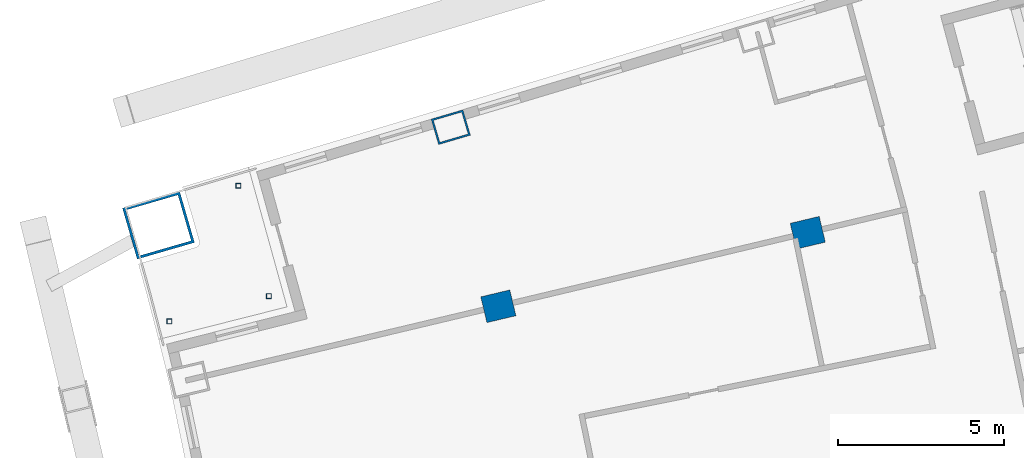
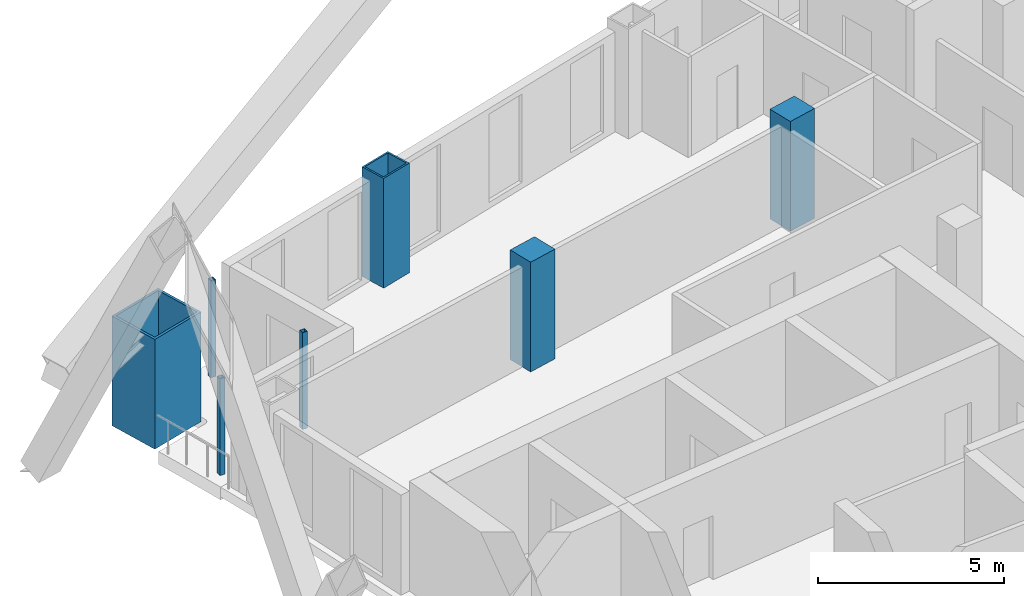
# One storey, part 7 of 22: 7 columns.
"""IFC4 building model written with IfcOpenShell, lengths in metres."""

import ifcopenshell
import ifcopenshell.guid

model = None  # the IFC model being written
_history = None  # IfcOwnerHistory: only IFC2X3 demands one
_inside = {}  # id of a spatial element -> (the spatial element, [elements in it])
_under = {}  # id of a project, library or spatial element -> (it, [spatial elements below it])
_declared = {}  # id of a project -> (the project, [libraries it declares])
_typed = {}  # id of a type object -> (the type object, [elements of that type])
_made_of = {}  # id of a material, layer set ... -> (it, [elements and type objects made of it])


def new_model(schema):
    """Start an empty IFC model of exactly this schema.

    Asked for "IFC4X3", IfcOpenShell would pick the latest addendum, in which some entities
    have other attributes; the version numbers below select the first issue.
    IFC2X3 requires an IfcOwnerHistory on every rooted entity: one is made here for all.
    """
    global model, _history
    if schema == "IFC4X3":
        model = ifcopenshell.file(schema_version=(4, 3, 0, 0))
    else:
        model = ifcopenshell.file(schema=schema)
    _inside.clear()
    _under.clear()
    _declared.clear()
    _typed.clear()
    _made_of.clear()
    _history = None
    if model.schema == "IFC2X3":
        org = make("IfcOrganization", Name="unknown")
        user = make(
            "IfcPersonAndOrganization",
            ThePerson=make("IfcPerson", FamilyName="unknown"),
            TheOrganization=org,
        )
        app = make(
            "IfcApplication",
            ApplicationDeveloper=org,
            Version="unknown",
            ApplicationFullName="unknown",
            ApplicationIdentifier="unknown",
        )
        _history = make(
            "IfcOwnerHistory",
            OwningUser=user,
            OwningApplication=app,
            ChangeAction="ADDED",
            CreationDate=0,
        )
    return model


def make(cls, **values):
    """One entity of the class cls with the attributes given. An attribute that is None is left unset."""
    return model.create_entity(
        cls, **{name: value for name, value in values.items() if value is not None}
    )


def rooted(cls, **values):
    """An entity with a GlobalId (a new one), such as an element, a storey or a relation."""
    return make(cls, GlobalId=ifcopenshell.guid.new(), OwnerHistory=_history, **values)


def si_unit(unit_type, name, prefix=None):
    """IfcSIUnit, for example si_unit("LENGTHUNIT", "METRE", prefix="MILLI")."""
    return make("IfcSIUnit", UnitType=unit_type, Prefix=prefix, Name=name)


def assignment(units):
    """IfcUnitAssignment: the units of a project."""
    return None if units is None else make("IfcUnitAssignment", Units=units)


def point(xyz):
    """IfcCartesianPoint."""
    return None if xyz is None else make("IfcCartesianPoint", Coordinates=xyz)


def direction(xyz):
    """IfcDirection."""
    return None if xyz is None else make("IfcDirection", DirectionRatios=xyz)


def frame(location, z_axis=None, x_axis=None):
    """IfcAxis2Placement3D, a coordinate frame: its origin and axes. An axis left out is left unset."""
    return make(
        "IfcAxis2Placement3D",
        Location=point(location),
        Axis=direction(z_axis),
        RefDirection=direction(x_axis),
    )


def frame_2d(location, x_axis=None):
    """IfcAxis2Placement2D, a coordinate frame in the plane: its origin and x axis."""
    return make(
        "IfcAxis2Placement2D", Location=point(location), RefDirection=direction(x_axis)
    )


def origin():
    """The frame at (0, 0, 0) with its axes left unset."""
    return frame((0.0, 0.0, 0.0))


def origin_2d():
    """The frame at (0, 0) in the plane with its x axis left unset."""
    return frame_2d((0.0, 0.0))


def place(relative_to, where):
    """IfcLocalPlacement: puts the frame where relative to a parent placement (None: the world)."""
    return make(
        "IfcLocalPlacement", PlacementRelTo=relative_to, RelativePlacement=where
    )


def context(
    kind, dimensions, precision=None, world=None, true_north=None, identifier=None
):
    """IfcGeometricRepresentationContext, for example the 3D "Model" context."""
    return make(
        "IfcGeometricRepresentationContext",
        ContextIdentifier=identifier,
        ContextType=kind,
        CoordinateSpaceDimension=dimensions,
        Precision=precision,
        WorldCoordinateSystem=world,
        TrueNorth=true_north,
    )


def subcontext(parent, identifier, kind, view, scale=None):
    """IfcGeometricRepresentationSubContext, for example "Body" below "Model"."""
    return make(
        "IfcGeometricRepresentationSubContext",
        ContextIdentifier=identifier,
        ContextType=kind,
        ParentContext=parent,
        TargetScale=scale,
        TargetView=view,
    )


def project(units=None, contexts=None):
    """IfcProject with its units and contexts."""
    return rooted(
        "IfcProject",
        Name="project",
        RepresentationContexts=contexts,
        UnitsInContext=assignment(units),
    )


def spatial(cls, under=None, at=None, **own):
    """A site, building, storey or space (cls), placed at a placement, below another one or the project."""
    s = rooted(cls, ObjectPlacement=at, **own)
    if under is not None:
        _under.setdefault(under.id(), (under, []))[1].append(s)
    return s


def profile(cls, at=None, kind="AREA", **sizes):
    """A parametric profile (cls). Its sizes go by their IFC names, for example OverallWidth=200.0."""
    return make(cls, ProfileType=kind, Position=at, **sizes)


def rectangle(**sizes):
    """IfcRectangleProfileDef."""
    return profile("IfcRectangleProfileDef", **sizes)


def hollow_rectangle(**sizes):
    """IfcRectangleHollowProfileDef."""
    return profile("IfcRectangleHollowProfileDef", **sizes)


def extrude(swept, where, along, depth):
    """IfcExtrudedAreaSolid: the profile swept, set in the frame where, extruded along a direction by depth."""
    return make(
        "IfcExtrudedAreaSolid",
        SweptArea=swept,
        Position=where,
        ExtrudedDirection=direction(along),
        Depth=depth,
    )


def shape(context_of_items, identifier, shape_type, items):
    """IfcShapeRepresentation: the items that make up one representation, for example the "Body"."""
    return make(
        "IfcShapeRepresentation",
        ContextOfItems=context_of_items,
        RepresentationIdentifier=identifier,
        RepresentationType=shape_type,
        Items=items,
    )


def material(Name=None, Category=None):
    """IfcMaterial."""
    return make("IfcMaterial", Name=Name, Category=Category)


def material_profile(
    of_material, cross_section, Name=None, Category=None, Priority=None
):
    """IfcMaterialProfile: a cross section and its material."""
    return make(
        "IfcMaterialProfile",
        Name=Name,
        Material=of_material,
        Profile=cross_section,
        Priority=Priority,
        Category=Category,
    )


def profile_set(profiles, Name=None, composite=None):
    """IfcMaterialProfileSet."""
    return make(
        "IfcMaterialProfileSet",
        Name=Name,
        MaterialProfiles=profiles,
        CompositeProfile=composite,
    )


def made_of(thing, what):
    """Note that an element or type object is made of a material, layer set ...; save() writes the relation."""
    if what is not None:
        _made_of.setdefault(what.id(), (what, []))[1].append(thing)
    return thing


def type_object(cls, material=None, **own):
    """A type object (cls), such as IfcWallType, which elements share."""
    return made_of(rooted(cls, **own), material)


def element(
    cls,
    number,
    at=None,
    inside=None,
    cuts=None,
    type_object=None,
    material=None,
    context=None,
    identifier="Body",
    shape_type=None,
    held_by="IfcProductDefinitionShape",
    body=None,
    shapes=None,
    **own,
):
    """One element of the class cls, such as IfcWall. Its Tag is "e" and its number.

    at: its placement. inside: the storey or other place that contains it. cuts: it is an
    opening in that element (IfcRelVoidsElement). A single representation is given by context,
    identifier, shape_type and body (its items); several are given by shapes. held_by: the class
    of the entity that holds the representations. save() writes the other relations.
    """
    e = rooted(cls, Tag="e%d" % number, ObjectPlacement=at, **own)
    if body is not None:
        shapes = [shape(context, identifier, shape_type, body)]
    if shapes is not None:
        e.Representation = make(held_by, Representations=shapes)
    if inside is not None:
        _inside.setdefault(inside.id(), (inside, []))[1].append(e)
    if cuts is not None:
        rooted(
            "IfcRelVoidsElement", RelatingBuildingElement=cuts, RelatedOpeningElement=e
        )
    if type_object is not None:
        _typed.setdefault(type_object.id(), (type_object, []))[1].append(e)
    return made_of(e, material)


def aggregate(whole, parts):
    """IfcRelAggregates: a whole, such as a stair, and the parts it consists of."""
    return rooted("IfcRelAggregates", RelatingObject=whole, RelatedObjects=parts)


def save(model, path):
    """Write the relations noted so far, then the file.

    IfcRelAggregates (storeys below a building ...), IfcRelContainedInSpatialStructure (elements
    in a storey), IfcRelDefinesByType, IfcRelAssociatesMaterial and IfcRelDeclares: one each for
    every whole, place, type object, material and project.
    """
    for whole, parts in _under.values():
        aggregate(whole, parts)
    for where, things in _inside.values():
        rooted(
            "IfcRelContainedInSpatialStructure",
            RelatedElements=things,
            RelatingStructure=where,
        )
    for kind, things in _typed.values():
        rooted("IfcRelDefinesByType", RelatedObjects=things, RelatingType=kind)
    for what, things in _made_of.values():
        rooted("IfcRelAssociatesMaterial", RelatedObjects=things, RelatingMaterial=what)
    for by, libraries in _declared.values():
        rooted("IfcRelDeclares", RelatingContext=by, RelatedDefinitions=libraries)
    model.write(path)


model = new_model("IFC4")

# Units and contexts
model_context = context("Model", 3, precision=1e-05, world=origin(), true_north=direction((0.0, 1.0)))
body_context = subcontext(model_context, "Body", "Model", "MODEL_VIEW")
ifc_project = project(units=[si_unit("LENGTHUNIT", "METRE"), si_unit("AREAUNIT", "SQUARE_METRE"), si_unit("VOLUMEUNIT", "CUBIC_METRE"), si_unit("PLANEANGLEUNIT", "RADIAN"), si_unit("MASSUNIT", "GRAM", prefix="KILO")], contexts=[model_context])

# Site, building, storey
site_placement = place(None, origin())
site = spatial("IfcSite", under=ifc_project, at=site_placement, CompositionType="ELEMENT")
building_placement = place(site_placement, origin())
building = spatial("IfcBuilding", under=site, at=building_placement, Name="Alderwake Tower", CompositionType="ELEMENT")
storey_placement = place(building_placement, frame((0.0, 0.0, 160.39990234375)))
storey = spatial("IfcBuildingStorey", under=building, at=storey_placement, Name="L39", CompositionType="ELEMENT", Elevation=160.39990234375)

# Columns
ifc_material_1 = material(Name="Steel ASTM A572 Grade 50 concrete filled C70/85", Category="concrete")
ifc_material_profile_1 = material_profile(ifc_material_1, hollow_rectangle(XDim=0.800048828125, YDim=1.0, WallThickness=0.054931640625, at=origin_2d()), Name="BOX 1000X800X55")
ifc_profile_set_1 = profile_set([ifc_material_profile_1], Name="Steel ASTM A572 Grade 50 concrete filled C70/85")
column_type_1 = type_object("IfcColumnType", Name="End column Z3", PredefinedType="COLUMN", material=ifc_profile_set_1)
column_1_placement = place(storey_placement, frame((21.885498046875, 90.96240234375, 0.0), z_axis=(0.0, 0.0, 1.0), x_axis=(-0.282132160283, 0.95937554906, 0.0)))
element("IfcColumn", 1, at=column_1_placement, inside=storey, type_object=column_type_1, Name="Column R12-C1", PredefinedType="COLUMN", context=body_context, shape_type="SweptSolid", body=[
    extrude(hollow_rectangle(XDim=0.800048828125, YDim=1.0, WallThickness=0.054931640625, at=origin_2d()), origin(), (0.0, 0.0, 1.0), 3.60009765625),
])
ifc_material_2 = material(Name="Concrete C70/85", Category="concrete")
ifc_material_profile_2 = material_profile(ifc_material_2, rectangle(XDim=0.800048828125, YDim=0.89990234375, at=origin_2d()), Name="RC 900X800")
ifc_profile_set_2 = profile_set([ifc_material_profile_2], Name="Concrete C70/85")
column_type_2 = type_object("IfcColumnType", Name="Interior column Z3", PredefinedType="COLUMN", material=ifc_profile_set_2)
for number, where, z_axis, x_axis, name in (
    (2, (23.322021484375, 85.555908203125, 0.0), (0.0, 0.0, 1.0), (-0.231221547198, 0.972901123502, 0.0), "Column R11-C1"),
    (3, (32.661865234375, 87.775390625, 0.0), (0.0, 0.0, 1.0), (-0.231221547198, 0.972901123502, 0.0), "Column R11-C2"),
):
    element("IfcColumn", number, at=place(storey_placement, frame(where, z_axis=z_axis, x_axis=x_axis)), inside=storey, type_object=column_type_2, Name=name, PredefinedType="COLUMN", context=body_context, shape_type="SweptSolid", body=[
        extrude(rectangle(XDim=0.800048828125, YDim=0.89990234375, at=origin_2d()), origin(), (0.0, 0.0, 1.0), 3.60009765625),
    ])
ifc_material_3 = material(Name="Steel ASTM A500 Grade C", Category="steel")
ifc_material_profile_3 = material_profile(ifc_material_3, hollow_rectangle(XDim=0.15234375, YDim=0.15234375, WallThickness=0.0087890625, at=origin_2d()), Name="HSS6X6X3/8")
ifc_profile_set_3 = profile_set([ifc_material_profile_3], Name="Steel ASTM A500 Grade C")
column_type_3 = type_object("IfcColumnType", Name="Light post HSS6X6X3/8", PredefinedType="COLUMN", material=ifc_profile_set_3)
for number, where, z_axis, x_axis, name in (
    (4, (13.3896484375, 85.103515625, 0.0), (0.0, 0.0, 1.0), (1.0, 0.0, 0.0), "Terrace post RN1"),
    (5, (15.47412109375, 89.194091796875, 0.0), (0.0, 0.0, 1.0), (1.0, 0.0, 0.0), "Terrace post RN2"),
    (6, (16.39501953125, 85.864013671875, 0.0), (0.0, 0.0, 1.0), (1.0, 0.0, 0.0), "Terrace post RN3"),
):
    element("IfcColumn", number, at=place(storey_placement, frame(where, z_axis=z_axis, x_axis=x_axis)), inside=storey, type_object=column_type_3, Name=name, PredefinedType="COLUMN", context=body_context, shape_type="SweptSolid", body=[
        extrude(hollow_rectangle(XDim=0.15234375, YDim=0.15234375, WallThickness=0.0087890625, at=origin_2d()), origin(), (0.0, 0.0, 1.0), 3.18017578125),
    ])
ifc_material_4 = material(Name="Steel ASTM A572 Grade 50 concrete filled C70/85", Category="concrete")
ifc_material_profile_4 = material_profile(ifc_material_4, hollow_rectangle(XDim=1.60009765625, YDim=1.800048828125, WallThickness=0.080078125, at=origin_2d()), Name="BOX 1800X1600X80")
ifc_profile_set_4 = profile_set([ifc_material_profile_4], Name="Steel ASTM A572 Grade 50 concrete filled C70/85")
column_type_4 = type_object("IfcColumnType", Name="Mega column Z3", PredefinedType="COLUMN", material=ifc_profile_set_4)
column_2_placement = place(storey_placement, frame((13.06298828125, 87.99755859375, 0.0), z_axis=(0.0, 0.0, 1.0), x_axis=(-0.278612301868, 0.960403657452, 0.0)))
element("IfcColumn", 7, at=column_2_placement, inside=storey, type_object=column_type_4, Name="Column R12-C0", PredefinedType="COLUMN", context=body_context, shape_type="SweptSolid", body=[
    extrude(hollow_rectangle(XDim=1.60009765625, YDim=1.800048828125, WallThickness=0.080078125, at=origin_2d()), origin(), (0.0, 0.0, 1.0), 3.60009765625),
])

save(model, "model.ifc")
